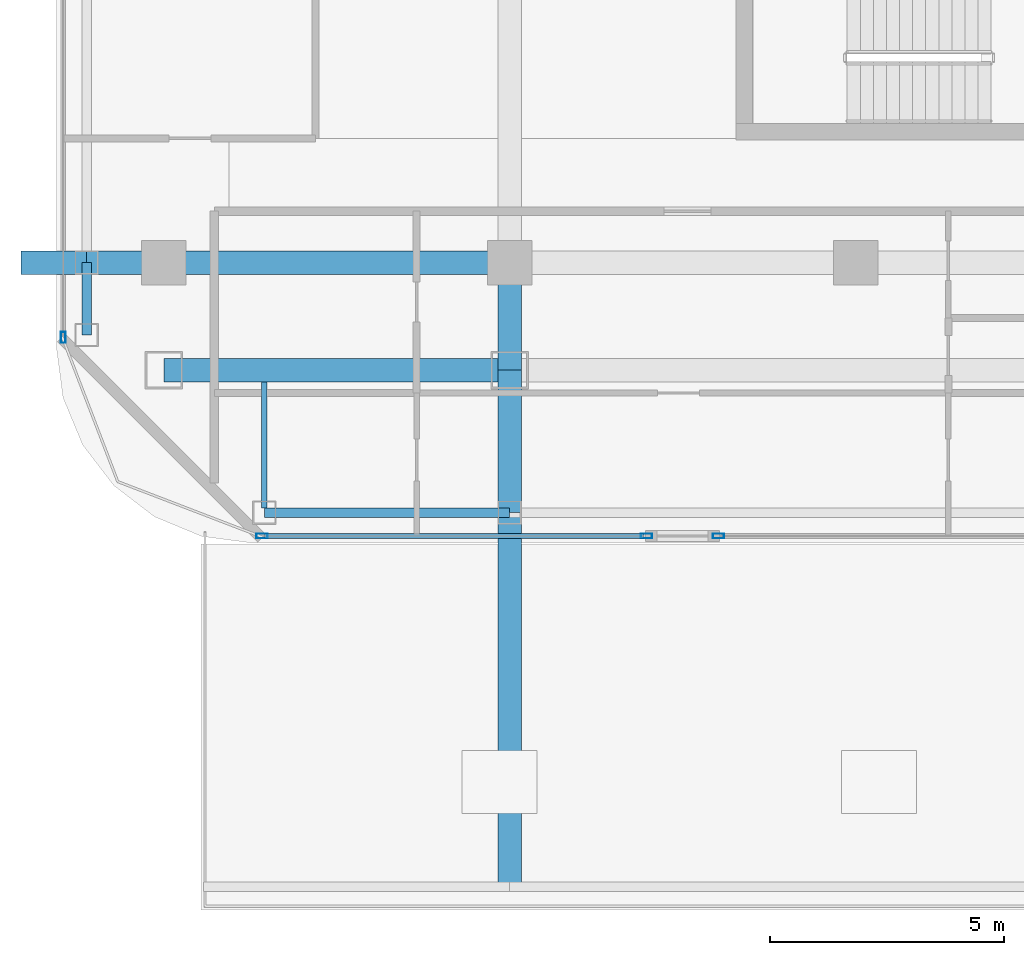
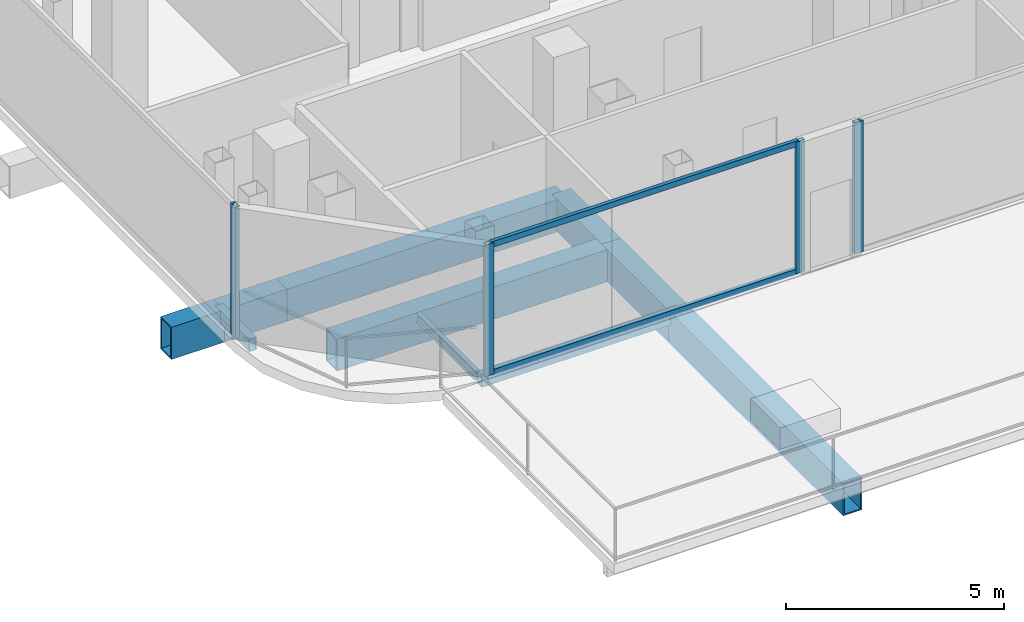
# One storey, part 2 of 25: 10 beams, 6 members, 3 elements without a shape of their own.
"""IFC4 building model written with IfcOpenShell, lengths in metres."""

from ifc_helpers import new_model, si_unit, direction, frame, origin, origin_2d, place, context, subcontext, project, spatial, hollow_rectangle, i_section, extrude, material, layer, layer_set, material_profile, profile_set, type_object, element, aggregate, save


model = new_model("IFC4")

# Units and contexts
model_context = context("Model", 3, precision=1e-05, world=origin(), true_north=direction((0.0, 1.0)))
body_context = subcontext(model_context, "Body", "Model", "MODEL_VIEW")
ifc_project = project(units=[si_unit("LENGTHUNIT", "METRE"), si_unit("AREAUNIT", "SQUARE_METRE"), si_unit("VOLUMEUNIT", "CUBIC_METRE"), si_unit("PLANEANGLEUNIT", "RADIAN"), si_unit("MASSUNIT", "GRAM", prefix="KILO")], contexts=[model_context])

# Site, building, storey
site_placement = place(None, origin())
site = spatial("IfcSite", under=ifc_project, at=site_placement, CompositionType="ELEMENT")
building_placement = place(site_placement, origin())
building = spatial("IfcBuilding", under=site, at=building_placement, Name="Khorvyn Point Tower", CompositionType="ELEMENT")
storey_placement = place(building_placement, frame((0.0, 0.0, 254.699951171875)))
storey = spatial("IfcBuildingStorey", under=building, at=storey_placement, Name="L62", CompositionType="ELEMENT", Elevation=254.699951171875)

# Curtain wall, member
ifc_material_1 = material(Name="Anodised aluminium 6063-T6 and laminated Low-E glass", Category="aluminium")
ifc_layer = layer(ifc_material_1, 0.18994140625)
ifc_layer_set = layer_set([ifc_layer], Name="Stick-Built High-Wind Curtain Wall CW-SYS-04")
curtain_wall_type = type_object("IfcCurtainWallType", Name="Stick-Built High-Wind Curtain Wall CW-SYS-04", PredefinedType="NOTDEFINED", material=ifc_layer_set)
curtain_wall_1_placement = place(storey_placement, origin())
curtain_wall_1 = element("IfcCurtainWall", 1, at=curtain_wall_1_placement, inside=storey, type_object=curtain_wall_type, Name="Curtain Wall", PredefinedType="NOTDEFINED")
ifc_material_2 = material(Name="Anodised aluminium 6063-T6", Category="aluminium")
ifc_material_profile_1 = material_profile(ifc_material_2, hollow_rectangle(XDim=0.10009765625, YDim=0.239990234375, WallThickness=0.0048828125, at=origin_2d()))
ifc_profile_set_1 = profile_set([ifc_material_profile_1], Name="Anodised aluminium 6063-T6 ALU-MUL-100x240")
member_type_1 = type_object("IfcMemberType", Name="Anodised Aluminium 6063-T6 Mullion ALU-MUL-100x240", PredefinedType="MULLION", material=ifc_profile_set_1)
member_1_placement = place(storey_placement, frame((-2.93408203125, -20.64990234375, 0.0), z_axis=(0.0, 0.0, 1.0), x_axis=(0.0, -1.0, 0.0)))
member_1 = element("IfcMember", 2, at=member_1_placement, type_object=member_type_1, Name="Transom", PredefinedType="MULLION", context=body_context, shape_type="SweptSolid", body=[
    extrude(hollow_rectangle(XDim=0.10009765625, YDim=0.239990234375, WallThickness=0.0048828125, at=origin_2d()), origin(), (0.0, 0.0, 1.0), 3.679931640625),
])
aggregate(curtain_wall_1, [member_1])

# Curtain wall, members
curtain_wall_2_placement = place(storey_placement, origin())
curtain_wall_2 = element("IfcCurtainWall", 3, at=curtain_wall_2_placement, inside=storey, type_object=curtain_wall_type, Name="Curtain Wall", PredefinedType="NOTDEFINED")
member_2_placement = place(storey_placement, frame((-4.47412109375, -20.64990234375, 0.0), z_axis=(0.0, 0.0, 1.0), x_axis=(0.0, -1.0, 0.0)))
member_2 = element("IfcMember", 4, at=member_2_placement, type_object=member_type_1, Name="Transom", PredefinedType="MULLION", context=body_context, shape_type="SweptSolid", body=[
    extrude(hollow_rectangle(XDim=0.10009765625, YDim=0.239990234375, WallThickness=0.0048828125, at=origin_2d()), origin(), (0.0, 0.0, 1.0), 3.679931640625),
])
member_3_placement = place(storey_placement, frame((-12.699951171875, -20.64990234375, 0.0), z_axis=(0.0, 0.0, 1.0), x_axis=(0.0, -1.0, 0.0)))
member_3 = element("IfcMember", 5, at=member_3_placement, type_object=member_type_1, Name="Transom", PredefinedType="MULLION", context=body_context, shape_type="SweptSolid", body=[
    extrude(hollow_rectangle(XDim=0.10009765625, YDim=0.239990234375, WallThickness=0.0048828125, at=origin_2d()), origin(), (0.0, 0.0, 1.0), 3.679931640625),
])

# Curtain wall, member
curtain_wall_3_placement = place(storey_placement, origin())
curtain_wall_3 = element("IfcCurtainWall", 6, at=curtain_wall_3_placement, inside=storey, type_object=curtain_wall_type, Name="Curtain Wall", PredefinedType="NOTDEFINED")
member_4_placement = place(storey_placement, frame((-16.949951171875, -16.39990234375, 0.0), z_axis=(0.0, 0.0, 1.0), x_axis=(-1.0, 0.0, 0.0)))
member_4 = element("IfcMember", 7, at=member_4_placement, type_object=member_type_1, Name="Transom", PredefinedType="MULLION", context=body_context, shape_type="SweptSolid", body=[
    extrude(hollow_rectangle(XDim=0.10009765625, YDim=0.239990234375, WallThickness=0.0048828125, at=origin_2d()), origin(), (0.0, 0.0, 1.0), 3.679931640625),
])
aggregate(curtain_wall_3, [member_4])

# Member
ifc_material_profile_2 = material_profile(ifc_material_2, hollow_rectangle(XDim=0.10009765625, YDim=0.159912109375, WallThickness=0.00439453125, at=origin_2d()))
ifc_profile_set_2 = profile_set([ifc_material_profile_2], Name="Anodised aluminium 6063-T6 ALU-TRN-100x160")
member_type_2 = type_object("IfcMemberType", Name="Anodised Aluminium 6063-T6 Transom ALU-TRN-100x160", PredefinedType="USERDEFINED", material=ifc_profile_set_2)
member_5_placement = place(storey_placement, frame((-4.52392578125, -20.64990234375, 0.050048828125), z_axis=(-1.0, 0.0, 0.0), x_axis=(0.0, -1.0, 0.0)))
member_5 = element("IfcMember", 8, at=member_5_placement, type_object=member_type_2, Name="Transom", ObjectType="TRANSOM", PredefinedType="USERDEFINED", context=body_context, shape_type="SweptSolid", body=[
    extrude(hollow_rectangle(XDim=0.10009765625, YDim=0.159912109375, WallThickness=0.00439453125, at=origin_2d()), origin(), (0.0, 0.0, 1.0), 8.1259765625),
])

member_6_placement = place(storey_placement, frame((-4.52392578125, -20.64990234375, 3.630126953125), z_axis=(-1.0, 0.0, 0.0), x_axis=(0.0, -1.0, 0.0)))
member_6 = element("IfcMember", 9, at=member_6_placement, type_object=member_type_2, Name="Transom", ObjectType="TRANSOM", PredefinedType="USERDEFINED", context=body_context, shape_type="SweptSolid", body=[
    extrude(hollow_rectangle(XDim=0.10009765625, YDim=0.159912109375, WallThickness=0.00439453125, at=origin_2d()), origin(), (0.0, 0.0, 1.0), 8.1259765625),
])

aggregate(curtain_wall_2, [member_2, member_3, member_5, member_6])

# Beams
ifc_material_3 = material(Name="Steel S355", Category="steel")
ifc_material_profile_3 = material_profile(ifc_material_3, i_section(OverallWidth=0.125, OverallDepth=0.25, WebThickness=0.006103515625, FlangeThickness=0.009033203125, at=origin_2d()))
ifc_profile_set_3 = profile_set([ifc_material_profile_3], Name="Steel S355 H250x125x6x9")
beam_type_1 = type_object("IfcBeamType", Name="Steel S355 Joist H250x125x6x9", PredefinedType="JOIST", material=ifc_profile_set_3)
beam_1_placement = place(storey_placement, frame((-12.64990234375, -20.050048828125, -0.405029296875), z_axis=(0.0, 1.0, 0.0), x_axis=(-1.0, 0.0, 0.0)))
element("IfcBeam", 10, at=beam_1_placement, inside=storey, type_object=beam_type_1, Name="Beam", PredefinedType="JOIST", context=body_context, shape_type="SweptSolid", body=[
    extrude(i_section(OverallWidth=0.125, OverallDepth=0.25, WebThickness=0.006103515625, FlangeThickness=0.009033203125, at=origin_2d()), origin(), (0.0, 0.0, 1.0), 2.699951171875),
])
ifc_material_profile_4 = material_profile(ifc_material_3, hollow_rectangle(XDim=0.199951171875, YDim=0.35009765625, WallThickness=0.013916015625, at=origin_2d()))
ifc_profile_set_4 = profile_set([ifc_material_profile_4], Name="Steel S355 RHS350x200x14")
beam_type_2 = type_object("IfcBeamType", Name="Steel S355 Spandrel RHS350x200x14", PredefinedType="SPANDREL", material=ifc_profile_set_4)
beam_2_placement = place(storey_placement, frame((-12.64990234375, -20.14990234375, -0.454833984375), z_axis=(1.0, 0.0, 0.0), x_axis=(0.0, 1.0, 0.0)))
element("IfcBeam", 11, at=beam_2_placement, inside=storey, type_object=beam_type_2, Name="Beam", PredefinedType="SPANDREL", context=body_context, shape_type="SweptSolid", body=[
    extrude(hollow_rectangle(XDim=0.199951171875, YDim=0.35009765625, WallThickness=0.013916015625, at=origin_2d()), origin(), (0.0, 0.0, 1.0), 5.25),
])
beam_3_placement = place(storey_placement, frame((-16.449951171875, -16.35009765625, -0.454833984375), z_axis=(0.0, 1.0, 0.0), x_axis=(-1.0, 0.0, 0.0)))
element("IfcBeam", 12, at=beam_3_placement, inside=storey, type_object=beam_type_2, Name="Beam", PredefinedType="SPANDREL", context=body_context, shape_type="SweptSolid", body=[
    extrude(hollow_rectangle(XDim=0.199951171875, YDim=0.35009765625, WallThickness=0.013916015625, at=origin_2d()), origin(), (0.0, 0.0, 1.0), 1.550048828125),
])
ifc_material_4 = material(Name="Steel S450", Category="steel")
ifc_material_profile_5 = material_profile(ifc_material_4, hollow_rectangle(XDim=0.5, YDim=0.89990234375, WallThickness=0.0400390625, at=origin_2d()))
ifc_profile_set_5 = profile_set([ifc_material_profile_5], Name="Steel S450 BOX900x500x40")
beam_type_3 = type_object("IfcBeamType", Name="Steel S450 Beam BOX900x500x40", PredefinedType="BEAM", material=ifc_profile_set_5)
beam_4_placement = place(storey_placement, frame((-17.85009765625, -14.800048828125, -0.72998046875), z_axis=(1.0, 0.0, 0.0), x_axis=(0.0, 1.0, 0.0)))
element("IfcBeam", 13, at=beam_4_placement, inside=storey, type_object=beam_type_3, Name="L62 Radial Transfer Girder", PredefinedType="BEAM", context=body_context, shape_type="SweptSolid", body=[
    extrude(hollow_rectangle(XDim=0.5, YDim=0.89990234375, WallThickness=0.0400390625, at=origin_2d()), origin(), (0.0, 0.0, 1.0), 1.400146484375),
])
beam_5_placement = place(storey_placement, frame((-16.449951171875, -14.800048828125, -0.72998046875), z_axis=(1.0, 0.0, 0.0), x_axis=(0.0, 1.0, 0.0)))
element("IfcBeam", 14, at=beam_5_placement, inside=storey, type_object=beam_type_3, Name="L62 Radial Transfer Girder", PredefinedType="BEAM", context=body_context, shape_type="SweptSolid", body=[
    extrude(hollow_rectangle(XDim=0.5, YDim=0.89990234375, WallThickness=0.0400390625, at=origin_2d()), origin(), (0.0, 0.0, 1.0), 1.64990234375),
])
for number, where, z_axis, x_axis, name in (
    (15, (-14.800048828125, -14.800048828125, -0.72998046875), (1.0, 0.0, 0.0), (0.0, 1.0, 0.0), "L62 Radial Transfer Girder"),
    (16, (-14.800048828125, -17.10009765625, -0.72998046875), (1.0, 0.0, 0.0), (0.0, 1.0, 0.0), "Beam"),
):
    element("IfcBeam", number, at=place(storey_placement, frame(where, z_axis=z_axis, x_axis=x_axis)), inside=storey, type_object=beam_type_3, Name=name, PredefinedType="BEAM", context=body_context, shape_type="SweptSolid", body=[
        extrude(hollow_rectangle(XDim=0.5, YDim=0.89990234375, WallThickness=0.0400390625, at=origin_2d()), origin(), (0.0, 0.0, 1.0), 7.400146484375),
    ])
beam_6_placement = place(storey_placement, frame((-7.39990234375, -28.14990234375, -0.72998046875), z_axis=(0.0, 1.0, 0.0), x_axis=(-1.0, 0.0, 0.0)))
element("IfcBeam", 17, at=beam_6_placement, inside=storey, type_object=beam_type_3, Name="Beam", PredefinedType="BEAM", context=body_context, shape_type="SweptSolid", body=[
    extrude(hollow_rectangle(XDim=0.5, YDim=0.89990234375, WallThickness=0.0400390625, at=origin_2d()), origin(), (0.0, 0.0, 1.0), 8.0),
])
beam_7_placement = place(storey_placement, frame((-7.39990234375, -20.14990234375, -0.72998046875), z_axis=(0.0, 1.0, 0.0), x_axis=(-1.0, 0.0, 0.0)))
element("IfcBeam", 18, at=beam_7_placement, inside=storey, type_object=beam_type_3, Name="Beam", PredefinedType="BEAM", context=body_context, shape_type="SweptSolid", body=[
    extrude(hollow_rectangle(XDim=0.5, YDim=0.89990234375, WallThickness=0.0400390625, at=origin_2d()), origin(), (0.0, 0.0, 1.0), 3.0498046875),
])
beam_8_placement = place(storey_placement, frame((-7.39990234375, -17.10009765625, -0.72998046875), z_axis=(0.0, 1.0, 0.0), x_axis=(-1.0, 0.0, 0.0)))
element("IfcBeam", 19, at=beam_8_placement, inside=storey, type_object=beam_type_3, Name="Beam", PredefinedType="BEAM", context=body_context, shape_type="SweptSolid", body=[
    extrude(hollow_rectangle(XDim=0.5, YDim=0.89990234375, WallThickness=0.0400390625, at=origin_2d()), origin(), (0.0, 0.0, 1.0), 2.300048828125),
])

save(model, "model.ifc")
